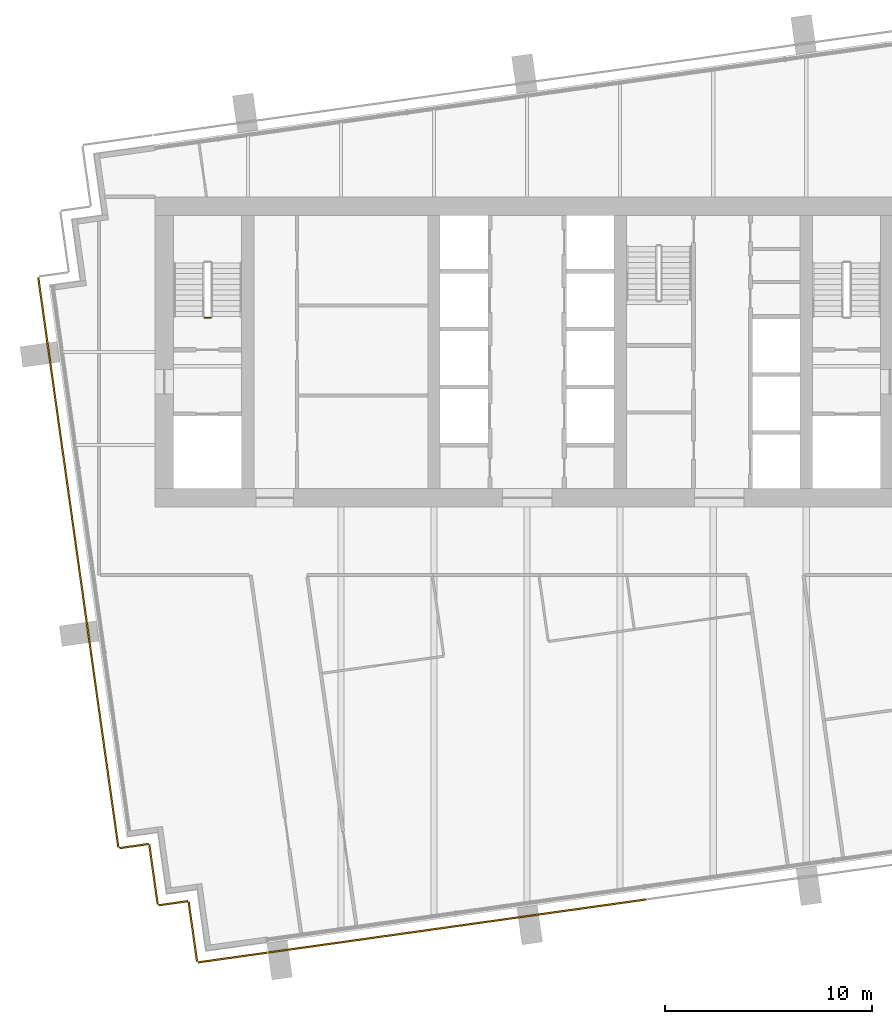
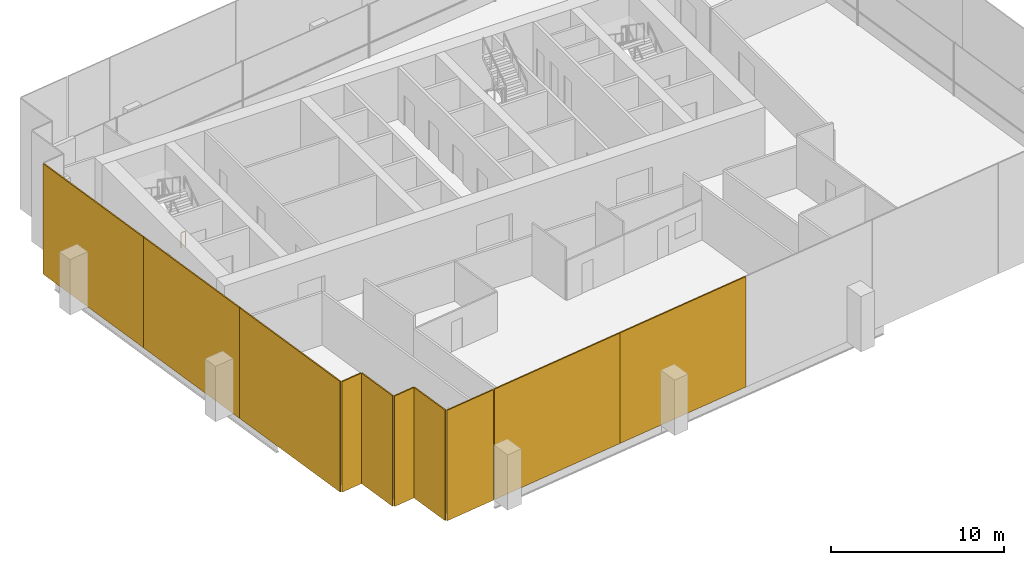
# One storey, part 13 of 17: 10 coverings, 1 railing.
"""IFC4 building model written with IfcOpenShell, lengths in metres."""

from ifc_helpers import new_model, si_unit, direction, frame, origin, origin_2d, place, context, subcontext, project, spatial, rectangle, extrude, material, layer, layer_set, type_object, element, save


model = new_model("IFC4")

# Units and contexts
model_context = context("Model", 3, precision=1e-05, world=origin(), true_north=direction((0.0, 1.0)))
body_context = subcontext(model_context, "Body", "Model", "MODEL_VIEW")
ifc_project = project(units=[si_unit("LENGTHUNIT", "METRE"), si_unit("AREAUNIT", "SQUARE_METRE"), si_unit("VOLUMEUNIT", "CUBIC_METRE"), si_unit("PLANEANGLEUNIT", "RADIAN"), si_unit("MASSUNIT", "GRAM", prefix="KILO")], contexts=[model_context])

# Site, building, storey
site_placement = place(None, origin())
site = spatial("IfcSite", under=ifc_project, at=site_placement, CompositionType="ELEMENT")
building_placement = place(site_placement, origin())
building = spatial("IfcBuilding", under=site, at=building_placement, Name="Rattan Terrace Tower", CompositionType="ELEMENT")
storey_placement = place(building_placement, frame((0.0, 0.0, 213.5)))
storey = spatial("IfcBuildingStorey", under=building, at=storey_placement, Name="L48", CompositionType="ELEMENT", Elevation=213.5)

# Railing
ifc_material_1 = material(Name="Powder-coated steel guard", Category="steel")
railing_type = type_object("IfcRailingType", Name="Core stair guard", PredefinedType="GUARDRAIL", material=ifc_material_1)
railing_placement = place(storey_placement, frame((-15.300048828125, 1.64990234375, 0.0)))
element("IfcRailing", 1, at=railing_placement, inside=storey, type_object=railing_type, Name="L48 S1 stair guard 4", PredefinedType="GUARDRAIL", context=body_context, shape_type="SweptSolid", body=[
    extrude(rectangle(XDim=0.048095703125, YDim=0.048095703125, at=origin_2d()), frame((0.0, 0.0, 1.076171875), z_axis=(-1.0, 0.0, 0.0), x_axis=(0.0, -1.0, 0.0)), (0.0, 0.0, 1.0), 0.300048828125),
    extrude(rectangle(XDim=0.0419921875, YDim=0.0419921875, at=origin_2d()), origin(), (0.0, 0.0, 1.0), 1.052001953125),
    extrude(rectangle(XDim=0.0419921875, YDim=0.0419921875, at=origin_2d()), frame((-0.300048828125, 0.0, 0.0)), (0.0, 0.0, 1.0), 1.052001953125),
])

# Coverings
ifc_material_2 = material(Name="Perforated terracotta", Category="masonry")
ifc_layer = layer(ifc_material_2, 0.080078125)
ifc_layer_set = layer_set([ifc_layer], Name="Facade Terracotta Screen Panel HZ")
covering_type = type_object("IfcCoveringType", Name="Facade Terracotta Screen Panel HZ", PredefinedType="CLADDING", material=ifc_layer_set)
covering_1_placement = place(storey_placement, frame((-22.984375, -1.062255859375, -0.18994140625), z_axis=(0.0, 0.0, 1.0), x_axis=(0.139186165309, -0.990266232579, 0.0)))
element("IfcCovering", 2, at=covering_1_placement, inside=storey, type_object=covering_type, Name="OUTER SKIN panel L48-24", PredefinedType="CLADDING", context=body_context, shape_type="SweptSolid", body=[
    extrude(rectangle(XDim=9.39990234375, YDim=0.080078125, at=origin_2d()), origin(), (0.0, 0.0, 1.0), 7.780029296875),
])
covering_2_placement = place(storey_placement, frame((-21.702392578125, -10.1826171875, -0.18994140625), z_axis=(0.0, 0.0, 1.0), x_axis=(0.139186165309, -0.990266232579, 0.0)))
element("IfcCovering", 3, at=covering_2_placement, inside=storey, type_object=covering_type, Name="OUTER SKIN panel L48-25", PredefinedType="CLADDING", context=body_context, shape_type="SweptSolid", body=[
    extrude(rectangle(XDim=8.97998046875, YDim=0.080078125, at=origin_2d()), origin(), (0.0, 0.0, 1.0), 7.780029296875),
])
covering_3_placement = place(storey_placement, frame((-20.420654296875, -19.302978515625, -0.18994140625), z_axis=(0.0, 0.0, 1.0), x_axis=(0.139186165309, -0.990266232579, 0.0)))
element("IfcCovering", 4, at=covering_3_placement, inside=storey, type_object=covering_type, Name="OUTER SKIN panel L48-26", PredefinedType="CLADDING", context=body_context, shape_type="SweptSolid", body=[
    extrude(rectangle(XDim=9.39990234375, YDim=0.080078125, at=origin_2d()), origin(), (0.0, 0.0, 1.0), 7.780029296875),
])
covering_4_placement = place(storey_placement, frame((-19.007080078125, -23.900634765625, -0.18994140625), z_axis=(0.0, 0.0, 1.0), x_axis=(0.990240767803, 0.139367219175, 0.0)))
element("IfcCovering", 5, at=covering_4_placement, inside=storey, type_object=covering_type, Name="OUTER SKIN panel L48-27", PredefinedType="CLADDING", context=body_context, shape_type="SweptSolid", body=[
    extrude(rectangle(XDim=1.419677734375, YDim=0.080078125, at=origin_2d()), origin(), (0.0, 0.0, 1.0), 7.780029296875),
])
covering_5_placement = place(storey_placement, frame((-18.06689453125, -25.273193359375, -0.18994140625), z_axis=(0.0, 0.0, 1.0), x_axis=(0.139321220646, -0.990247240581, 0.0)))
element("IfcCovering", 6, at=covering_5_placement, inside=storey, type_object=covering_type, Name="OUTER SKIN panel L48-28", PredefinedType="CLADDING", context=body_context, shape_type="SweptSolid", body=[
    extrude(rectangle(XDim=2.920166015625, YDim=0.080078125, at=origin_2d()), origin(), (0.0, 0.0, 1.0), 7.780029296875),
])
covering_6_placement = place(storey_placement, frame((-17.10400390625, -26.662841796875, -0.18994140625), z_axis=(0.0, 0.0, 1.0), x_axis=(0.990240767803, 0.139367219175, 0.0)))
element("IfcCovering", 7, at=covering_6_placement, inside=storey, type_object=covering_type, Name="OUTER SKIN panel L48-29", PredefinedType="CLADDING", context=body_context, shape_type="SweptSolid", body=[
    extrude(rectangle(XDim=1.419677734375, YDim=0.080078125, at=origin_2d()), origin(), (0.0, 0.0, 1.0), 7.780029296875),
])
covering_7_placement = place(storey_placement, frame((-16.163818359375, -28.03515625, -0.18994140625), z_axis=(0.0, 0.0, 1.0), x_axis=(0.139321220646, -0.990247240581, 0.0)))
element("IfcCovering", 8, at=covering_7_placement, inside=storey, type_object=covering_type, Name="OUTER SKIN panel L48-30", PredefinedType="CLADDING", context=body_context, shape_type="SweptSolid", body=[
    extrude(rectangle(XDim=2.920166015625, YDim=0.080078125, at=origin_2d()), origin(), (0.0, 0.0, 1.0), 7.780029296875),
])
covering_8_placement = place(storey_placement, frame((-14.2353515625, -29.289306640625, -0.18994140625), z_axis=(0.0, 0.0, 1.0), x_axis=(0.990293172258, 0.138994363123, 0.0)))
element("IfcCovering", 9, at=covering_8_placement, inside=storey, type_object=covering_type, Name="OUTER SKIN panel L48-31", PredefinedType="CLADDING", context=body_context, shape_type="SweptSolid", body=[
    extrude(rectangle(XDim=3.3701171875, YDim=0.080078125, at=origin_2d()), origin(), (0.0, 0.0, 1.0), 7.780029296875),
])
covering_9_placement = place(storey_placement, frame((-7.941650390625, -28.405029296875, -0.18994140625), z_axis=(0.0, 0.0, 1.0), x_axis=(0.990267457022, 0.139177453499, 0.0)))
element("IfcCovering", 10, at=covering_9_placement, inside=storey, type_object=covering_type, Name="OUTER SKIN panel L48-32", PredefinedType="CLADDING", context=body_context, shape_type="SweptSolid", body=[
    extrude(rectangle(XDim=9.18115234375, YDim=0.080078125, at=origin_2d()), origin(), (0.0, 0.0, 1.0), 7.780029296875),
])
covering_10_placement = place(storey_placement, frame((1.184814453125, -27.122314453125, -0.18994140625), z_axis=(0.0, 0.0, 1.0), x_axis=(0.990267457022, 0.139177453499, 0.0)))
element("IfcCovering", 11, at=covering_10_placement, inside=storey, type_object=covering_type, Name="OUTER SKIN panel L48-33", PredefinedType="CLADDING", context=body_context, shape_type="SweptSolid", body=[
    extrude(rectangle(XDim=9.2109375, YDim=0.080078125, at=origin_2d()), origin(), (0.0, 0.0, 1.0), 7.780029296875),
])

save(model, "model.ifc")
